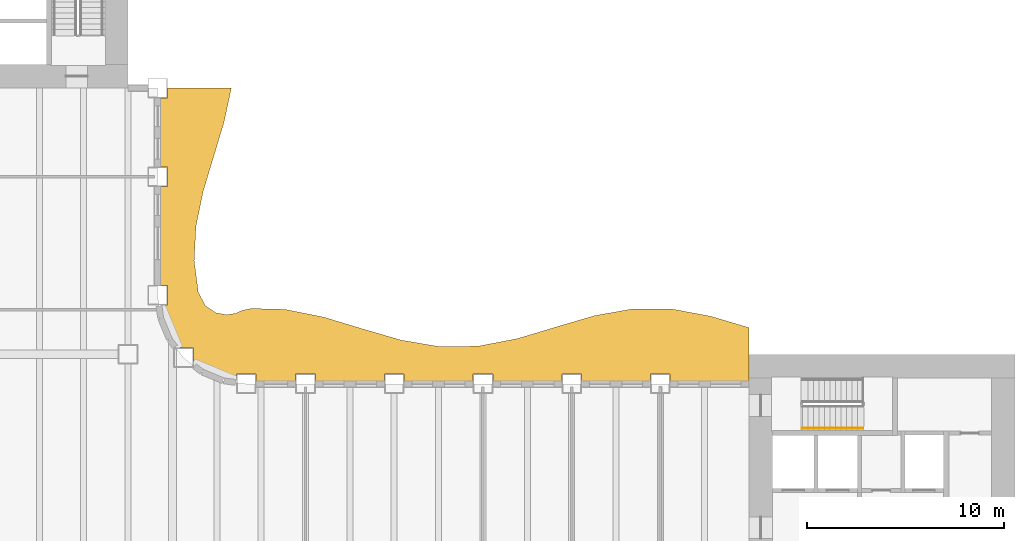
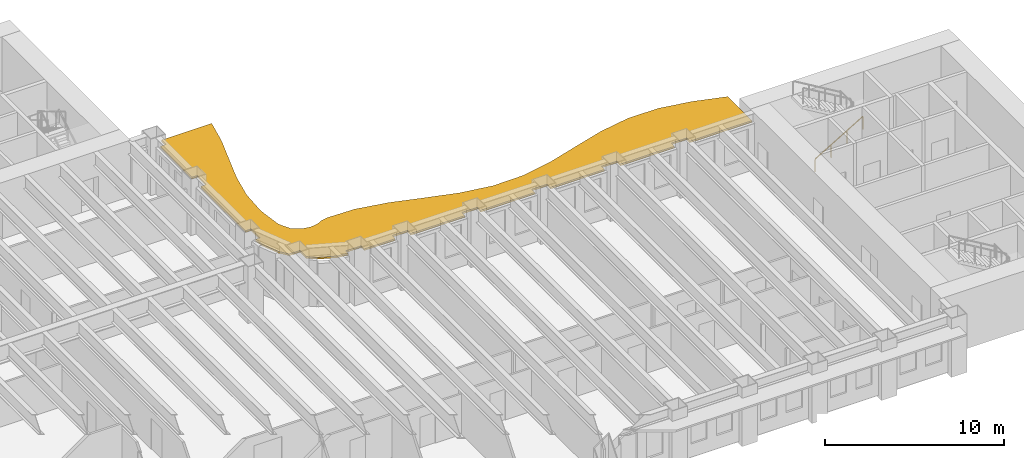
# One storey, part 14 of 16: 1 railing, 1 shading device.
"""IFC4 building model written with IfcOpenShell, lengths in metres."""

from ifc_helpers import new_model, si_unit, direction, frame, origin, origin_2d, place, context, subcontext, project, spatial, polyline, rectangle, outline, extrude, material, layer, layer_set, type_object, element, save


model = new_model("IFC4")

# Units and contexts
model_context = context("Model", 3, precision=1e-05, world=origin(), true_north=direction((0.0, 1.0)))
body_context = subcontext(model_context, "Body", "Model", "MODEL_VIEW")
ifc_project = project(units=[si_unit("LENGTHUNIT", "METRE"), si_unit("AREAUNIT", "SQUARE_METRE"), si_unit("VOLUMEUNIT", "CUBIC_METRE"), si_unit("PLANEANGLEUNIT", "RADIAN"), si_unit("MASSUNIT", "GRAM", prefix="KILO")], contexts=[model_context])

# Site, building, storey
site_placement = place(None, origin())
site = spatial("IfcSite", under=ifc_project, at=site_placement, CompositionType="ELEMENT")
building_placement = place(site_placement, origin())
building = spatial("IfcBuilding", under=site, at=building_placement, Name="Sennacour Bend Tower", CompositionType="ELEMENT")
storey_placement = place(building_placement, frame((0.0, 0.0, 111.0)))
storey = spatial("IfcBuildingStorey", under=building, at=storey_placement, Name="L25", CompositionType="ELEMENT", Elevation=111.0)

# Railing
ifc_material_1 = material(Name="Stainless steel", Category="steel")
railing_type = type_object("IfcRailingType", Name="RL-HANDRAIL-900", PredefinedType="HANDRAIL", material=ifc_material_1)
railing_placement = place(storey_placement, frame((56.699951171875, 18.75, 0.166748046875)))
element("IfcRailing", 1, at=railing_placement, inside=storey, type_object=railing_type, Name="L25 SA2 stair handrail 1", PredefinedType="HANDRAIL", context=body_context, shape_type="SweptSolid", body=[
    extrude(rectangle(XDim=0.048095703125, YDim=0.048095703125, at=origin_2d()), frame((0.0, 0.0, 0.8759765625), z_axis=(0.859308565015, 0.0, 0.511457515432), x_axis=(0.0, 1.0, 0.0)), (0.0, 0.0, 1.0), 3.58447265625),
    extrude(rectangle(XDim=0.0419921875, YDim=0.0419921875, at=origin_2d()), origin(), (0.0, 0.0, 1.0), 0.851806640625),
    extrude(rectangle(XDim=0.0419921875, YDim=0.0419921875, at=origin_2d()), frame((1.026611328125, 0.0, 0.611083984375)), (0.0, 0.0, 1.0), 0.851806640625),
    extrude(rectangle(XDim=0.0419921875, YDim=0.0419921875, at=origin_2d()), frame((2.053466796875, 0.0, 1.22216796875)), (0.0, 0.0, 1.0), 0.851806640625),
    extrude(rectangle(XDim=0.0419921875, YDim=0.0419921875, at=origin_2d()), frame((3.080078125, 0.0, 1.833251953125)), (0.0, 0.0, 1.0), 0.851806640625),
])

# Shading device
ifc_material_2 = material(Name="Bronze anodised aluminium", Category="aluminium")
ifc_layer = layer(ifc_material_2, 0.1201171875, Name="Bronze anodised aluminium", Category="aluminium")
ifc_layer_set = layer_set([ifc_layer], Name="Bronze anodised aluminium")
shading_device_type = type_object("IfcShadingDeviceType", Name="SUNSHADE BAND WAVE", PredefinedType="USERDEFINED", material=ifc_layer_set)
shading_device_placement = place(storey_placement, frame((0.0, 0.0, 3.033935546875)))
element("IfcShadingDevice", 2, at=shading_device_placement, inside=storey, type_object=shading_device_type, Name="Sunshade band L25 concave faces", ObjectType="SUNSHADE", PredefinedType="USERDEFINED", context=body_context, shape_type="SweptSolid", body=[
    extrude(outline(polyline([(54.0, 21.14990234375), (50.0, 21.14990234375), (50.0, 21.5), (49.0, 21.5), (49.0, 21.14990234375), (45.5, 21.14990234375), (45.5, 21.5), (44.5, 21.5), (44.5, 21.14990234375), (41.0, 21.14990234375), (41.0, 21.5), (40.0, 21.5), (40.0, 21.14990234375), (36.5, 21.14990234375), (36.5, 21.5), (35.5, 21.5), (35.5, 21.14990234375), (32.0, 21.14990234375), (32.0, 21.5), (31.0, 21.5), (31.0, 21.14990234375), (29.0, 21.14990234375), (29.0, 21.5), (28.0, 21.5), (28.0, 21.217041015625), (27.37451171875, 21.299560546875), (26.32568359375, 21.73388671875), (25.818115234375, 22.123291015625), (25.818115234375, 22.818115234375), (25.123291015625, 22.818115234375), (24.73388671875, 23.32568359375), (24.299560546875, 24.37451171875), (24.217041015625, 25.0), (24.5, 25.0), (24.5, 26.0), (24.14990234375, 26.0), (24.14990234375, 31.0), (24.5, 31.0), (24.5, 32.0), (24.14990234375, 32.0), (24.14990234375, 35.5), (24.5, 35.5), (24.5, 36.0), (27.738525390625, 36.0), (27.36328125, 34.25), (26.83349609375, 32.5), (26.308837890625, 30.75), (25.947021484375, 29.0), (25.856201171875, 27.25), (26.064208984375, 25.63525390625), (26.4365234375, 24.947021484375), (26.95458984375, 24.60791015625), (27.50244140625, 24.50244140625), (27.966796875, 24.576416015625), (28.293212890625, 24.72802734375), (28.75048828125, 24.82177734375), (30.46142578125, 24.777099609375), (32.423095703125, 24.384521484375), (34.384521484375, 23.79150390625), (36.34619140625, 23.220458984375), (38.3076171875, 22.885498046875), (40.269287109375, 22.912353515625), (42.230712890625, 23.291015625), (44.1923828125, 23.87939453125), (46.15380859375, 24.45654296875), (48.115478515625, 24.806396484375), (50.076904296875, 24.79736328125), (52.03857421875, 24.43310546875), (54.0, 23.85009765625), (54.0, 21.14990234375)])), origin(), (0.0, 0.0, 1.0), 0.1201171875),
])

save(model, "model.ifc")
